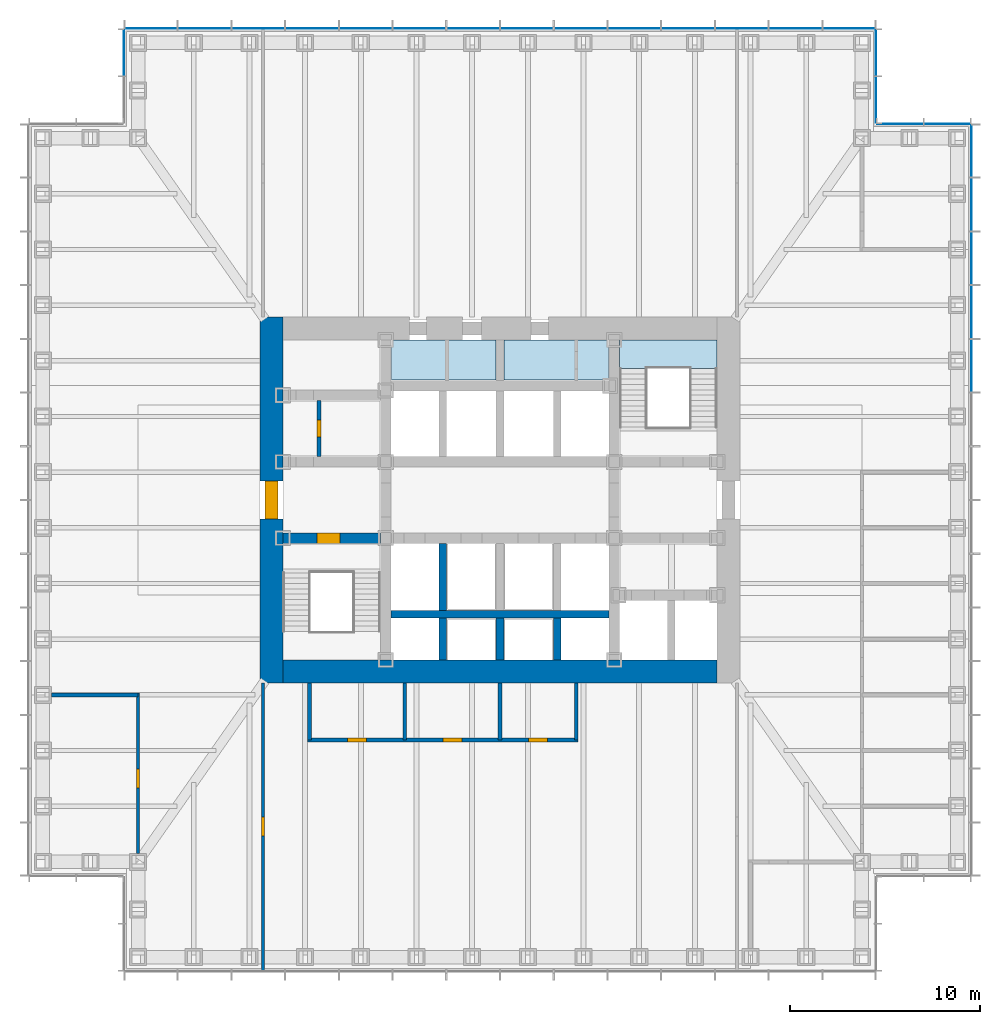
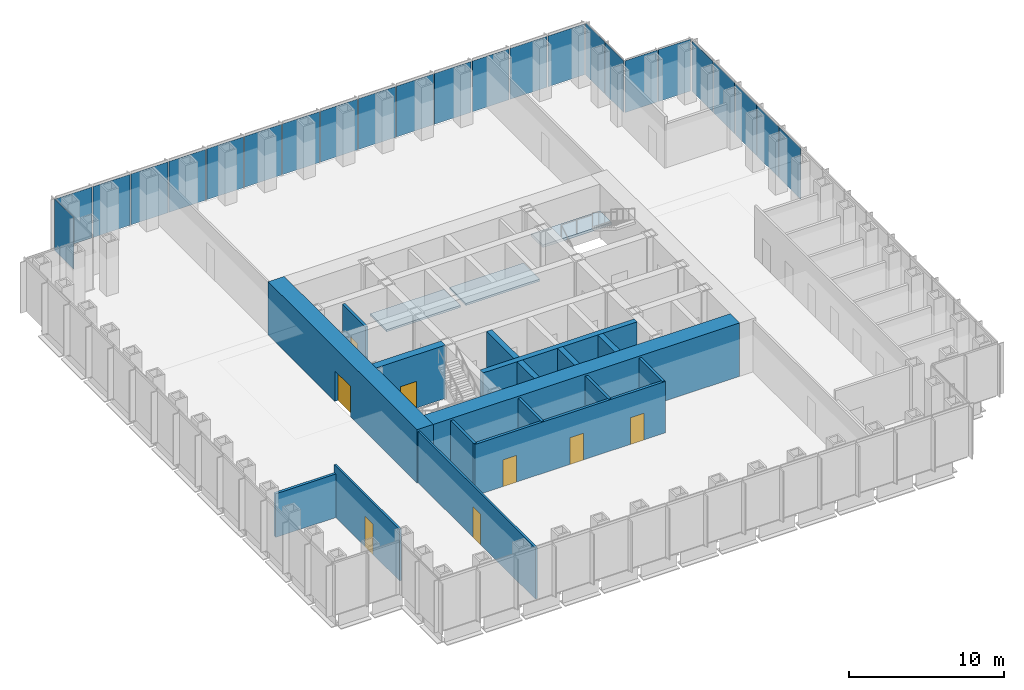
# One storey, part 8 of 16: 24 plates, 17 walls, 8 doors, 3 slabs, 8 openings, 6 elements without a shape of their own.
"""IFC4 building model written with IfcOpenShell, lengths in metres."""

from ifc_helpers import new_model, si_unit, direction, frame, frame_2d, origin, origin_2d, place, context, subcontext, project, spatial, polyline, rectangle, outline, extrude, material, layer, layer_set, type_object, element, fill, aggregate, save


model = new_model("IFC4")

# Units and contexts
model_context = context("Model", 3, precision=1e-05, world=origin(), true_north=direction((0.0, 1.0)))
body_context = subcontext(model_context, "Body", "Model", "MODEL_VIEW")
ifc_project = project(units=[si_unit("LENGTHUNIT", "METRE"), si_unit("AREAUNIT", "SQUARE_METRE"), si_unit("VOLUMEUNIT", "CUBIC_METRE"), si_unit("PLANEANGLEUNIT", "RADIAN"), si_unit("MASSUNIT", "GRAM", prefix="KILO")], contexts=[model_context])

# Site, building, storey
site_placement = place(None, origin())
site = spatial("IfcSite", under=ifc_project, at=site_placement, CompositionType="ELEMENT")
building_placement = place(site_placement, origin())
building = spatial("IfcBuilding", under=site, at=building_placement, Name="Daluyong Arena Tower", CompositionType="ELEMENT")
storey_placement = place(building_placement, frame((0.0, 0.0, 76.89990234375)))
storey = spatial("IfcBuildingStorey", under=building, at=storey_placement, Name="L16", CompositionType="ELEMENT", Elevation=76.89990234375)

# Curtain wall, plates
ifc_material_1 = material(Name="Bronze anodised aluminium and glass", Category="aluminium")
curtain_wall_type_1 = type_object("IfcCurtainWallType", Name="Curtain wall CW1", PredefinedType="USERDEFINED", material=ifc_material_1)
curtain_wall_1_placement = place(storey_placement, origin())
curtain_wall_1 = element("IfcCurtainWall", 1, at=curtain_wall_1_placement, inside=storey, type_object=curtain_wall_type_1, Name="curtain wall L16 E", ObjectType="UNITISED CURTAIN WALL", PredefinedType="USERDEFINED")
ifc_material_2 = material(Name="Tinted double glazed unit", Category="glass")
ifc_layer_1 = layer(ifc_material_2, 0.031982421875)
ifc_layer_set_1 = layer_set([ifc_layer_1], Name="Tinted double glazed unit")
plate_type_1 = type_object("IfcPlateType", Name="CW1 panel 32", PredefinedType="CURTAIN_PANEL", material=ifc_layer_set_1)
plate_1_placement = place(storey_placement, frame((80.75, 87.053466796875, 0.0), z_axis=(0.0, 0.0, 1.0), x_axis=(0.0, 1.0, 0.0)))
plate_1 = element("IfcPlate", 2, at=plate_1_placement, type_object=plate_type_1, Name="curtain wall L16 E panel 10", PredefinedType="CURTAIN_PANEL", context=body_context, shape_type="SweptSolid", body=[
    extrude(rectangle(XDim=2.741455078125, YDim=0.031982421875, at=origin_2d()), origin(), (0.0, 0.0, 1.0), 4.0),
])
plate_2_placement = place(storey_placement, frame((80.75, 89.875, 0.0), z_axis=(0.0, 0.0, 1.0), x_axis=(0.0, 1.0, 0.0)))
plate_2 = element("IfcPlate", 3, at=plate_2_placement, type_object=plate_type_1, Name="curtain wall L16 E panel 11", PredefinedType="CURTAIN_PANEL", context=body_context, shape_type="SweptSolid", body=[
    extrude(rectangle(XDim=2.741455078125, YDim=0.031982421875, at=origin_2d()), origin(), (0.0, 0.0, 1.0), 4.0),
])
plate_3_placement = place(storey_placement, frame((80.75, 92.696533203125, 0.0), z_axis=(0.0, 0.0, 1.0), x_axis=(0.0, 1.0, 0.0)))
plate_3 = element("IfcPlate", 4, at=plate_3_placement, type_object=plate_type_1, Name="curtain wall L16 E panel 12", PredefinedType="CURTAIN_PANEL", context=body_context, shape_type="SweptSolid", body=[
    extrude(rectangle(XDim=2.741455078125, YDim=0.031982421875, at=origin_2d()), origin(), (0.0, 0.0, 1.0), 4.0),
])
plate_4_placement = place(storey_placement, frame((80.75, 95.517822265625, 0.0), z_axis=(0.0, 0.0, 1.0), x_axis=(0.0, 1.0, 0.0)))
plate_4 = element("IfcPlate", 5, at=plate_4_placement, type_object=plate_type_1, Name="curtain wall L16 E panel 13", PredefinedType="CURTAIN_PANEL", context=body_context, shape_type="SweptSolid", body=[
    extrude(rectangle(XDim=2.741455078125, YDim=0.031982421875, at=origin_2d()), origin(), (0.0, 0.0, 1.0), 4.0),
])
plate_5_placement = place(storey_placement, frame((80.75, 98.3193359375, 0.0), z_axis=(0.0, 0.0, 1.0), x_axis=(0.0, 1.0, 0.0)))
plate_5 = element("IfcPlate", 6, at=plate_5_placement, type_object=plate_type_1, Name="curtain wall L16 E panel 14", PredefinedType="CURTAIN_PANEL", context=body_context, shape_type="SweptSolid", body=[
    extrude(rectangle(XDim=2.701416015625, YDim=0.031982421875, at=origin_2d()), origin(), (0.0, 0.0, 1.0), 4.0),
])
aggregate(curtain_wall_1, [plate_1, plate_2, plate_3, plate_4, plate_5])

curtain_wall_2_placement = place(storey_placement, origin())
curtain_wall_2 = element("IfcCurtainWall", 7, at=curtain_wall_2_placement, inside=storey, type_object=curtain_wall_type_1, Name="curtain wall L16 N", ObjectType="UNITISED CURTAIN WALL", PredefinedType="USERDEFINED")
plate_6_placement = place(storey_placement, frame((74.3193359375, 104.75, 0.0), z_axis=(0.0, 0.0, 1.0), x_axis=(-1.0, 0.0, 0.0)))
plate_6 = element("IfcPlate", 8, at=plate_6_placement, type_object=plate_type_1, Name="curtain wall L16 N panel 1", PredefinedType="CURTAIN_PANEL", context=body_context, shape_type="SweptSolid", body=[
    extrude(rectangle(XDim=2.701416015625, YDim=0.031982421875, at=origin_2d()), origin(), (0.0, 0.0, 1.0), 4.0),
])
plate_7_placement = place(storey_placement, frame((71.517822265625, 104.75, 0.0), z_axis=(0.0, 0.0, 1.0), x_axis=(-1.0, 0.0, 0.0)))
plate_7 = element("IfcPlate", 9, at=plate_7_placement, type_object=plate_type_1, Name="curtain wall L16 N panel 2", PredefinedType="CURTAIN_PANEL", context=body_context, shape_type="SweptSolid", body=[
    extrude(rectangle(XDim=2.741455078125, YDim=0.031982421875, at=origin_2d()), origin(), (0.0, 0.0, 1.0), 4.0),
])
plate_8_placement = place(storey_placement, frame((68.696533203125, 104.75, 0.0), z_axis=(0.0, 0.0, 1.0), x_axis=(-1.0, 0.0, 0.0)))
plate_8 = element("IfcPlate", 10, at=plate_8_placement, type_object=plate_type_1, Name="curtain wall L16 N panel 3", PredefinedType="CURTAIN_PANEL", context=body_context, shape_type="SweptSolid", body=[
    extrude(rectangle(XDim=2.741455078125, YDim=0.031982421875, at=origin_2d()), origin(), (0.0, 0.0, 1.0), 4.0),
])
plate_9_placement = place(storey_placement, frame((65.875, 104.75, 0.0), z_axis=(0.0, 0.0, 1.0), x_axis=(-1.0, 0.0, 0.0)))
plate_9 = element("IfcPlate", 11, at=plate_9_placement, type_object=plate_type_1, Name="curtain wall L16 N panel 4", PredefinedType="CURTAIN_PANEL", context=body_context, shape_type="SweptSolid", body=[
    extrude(rectangle(XDim=2.741455078125, YDim=0.031982421875, at=origin_2d()), origin(), (0.0, 0.0, 1.0), 4.0),
])
plate_10_placement = place(storey_placement, frame((63.053466796875, 104.75, 0.0), z_axis=(0.0, 0.0, 1.0), x_axis=(-1.0, 0.0, 0.0)))
plate_10 = element("IfcPlate", 12, at=plate_10_placement, type_object=plate_type_1, Name="curtain wall L16 N panel 5", PredefinedType="CURTAIN_PANEL", context=body_context, shape_type="SweptSolid", body=[
    extrude(rectangle(XDim=2.741455078125, YDim=0.031982421875, at=origin_2d()), origin(), (0.0, 0.0, 1.0), 4.0),
])
plate_11_placement = place(storey_placement, frame((60.232177734375, 104.75, 0.0), z_axis=(0.0, 0.0, 1.0), x_axis=(-1.0, 0.0, 0.0)))
plate_11 = element("IfcPlate", 13, at=plate_11_placement, type_object=plate_type_1, Name="curtain wall L16 N panel 6", PredefinedType="CURTAIN_PANEL", context=body_context, shape_type="SweptSolid", body=[
    extrude(rectangle(XDim=2.741455078125, YDim=0.031982421875, at=origin_2d()), origin(), (0.0, 0.0, 1.0), 4.0),
])
plate_12_placement = place(storey_placement, frame((57.41064453125, 104.75, 0.0), z_axis=(0.0, 0.0, 1.0), x_axis=(-1.0, 0.0, 0.0)))
plate_12 = element("IfcPlate", 14, at=plate_12_placement, type_object=plate_type_1, Name="curtain wall L16 N panel 7", PredefinedType="CURTAIN_PANEL", context=body_context, shape_type="SweptSolid", body=[
    extrude(rectangle(XDim=2.741455078125, YDim=0.031982421875, at=origin_2d()), origin(), (0.0, 0.0, 1.0), 4.0),
])
plate_13_placement = place(storey_placement, frame((54.58935546875, 104.75, 0.0), z_axis=(0.0, 0.0, 1.0), x_axis=(-1.0, 0.0, 0.0)))
plate_13 = element("IfcPlate", 15, at=plate_13_placement, type_object=plate_type_1, Name="curtain wall L16 N panel 8", PredefinedType="CURTAIN_PANEL", context=body_context, shape_type="SweptSolid", body=[
    extrude(rectangle(XDim=2.741455078125, YDim=0.031982421875, at=origin_2d()), origin(), (0.0, 0.0, 1.0), 4.0),
])
plate_14_placement = place(storey_placement, frame((51.767822265625, 104.75, 0.0), z_axis=(0.0, 0.0, 1.0), x_axis=(-1.0, 0.0, 0.0)))
plate_14 = element("IfcPlate", 16, at=plate_14_placement, type_object=plate_type_1, Name="curtain wall L16 N panel 9", PredefinedType="CURTAIN_PANEL", context=body_context, shape_type="SweptSolid", body=[
    extrude(rectangle(XDim=2.741455078125, YDim=0.031982421875, at=origin_2d()), origin(), (0.0, 0.0, 1.0), 4.0),
])
plate_15_placement = place(storey_placement, frame((48.946533203125, 104.75, 0.0), z_axis=(0.0, 0.0, 1.0), x_axis=(-1.0, 0.0, 0.0)))
plate_15 = element("IfcPlate", 17, at=plate_15_placement, type_object=plate_type_1, Name="curtain wall L16 N panel 10", PredefinedType="CURTAIN_PANEL", context=body_context, shape_type="SweptSolid", body=[
    extrude(rectangle(XDim=2.741455078125, YDim=0.031982421875, at=origin_2d()), origin(), (0.0, 0.0, 1.0), 4.0),
])
plate_16_placement = place(storey_placement, frame((46.125, 104.75, 0.0), z_axis=(0.0, 0.0, 1.0), x_axis=(-1.0, 0.0, 0.0)))
plate_16 = element("IfcPlate", 18, at=plate_16_placement, type_object=plate_type_1, Name="curtain wall L16 N panel 11", PredefinedType="CURTAIN_PANEL", context=body_context, shape_type="SweptSolid", body=[
    extrude(rectangle(XDim=2.741455078125, YDim=0.031982421875, at=origin_2d()), origin(), (0.0, 0.0, 1.0), 4.0),
])
plate_17_placement = place(storey_placement, frame((43.303466796875, 104.75, 0.0), z_axis=(0.0, 0.0, 1.0), x_axis=(-1.0, 0.0, 0.0)))
plate_17 = element("IfcPlate", 19, at=plate_17_placement, type_object=plate_type_1, Name="curtain wall L16 N panel 12", PredefinedType="CURTAIN_PANEL", context=body_context, shape_type="SweptSolid", body=[
    extrude(rectangle(XDim=2.741455078125, YDim=0.031982421875, at=origin_2d()), origin(), (0.0, 0.0, 1.0), 4.0),
])
plate_18_placement = place(storey_placement, frame((40.482177734375, 104.75, 0.0), z_axis=(0.0, 0.0, 1.0), x_axis=(-1.0, 0.0, 0.0)))
plate_18 = element("IfcPlate", 20, at=plate_18_placement, type_object=plate_type_1, Name="curtain wall L16 N panel 13", PredefinedType="CURTAIN_PANEL", context=body_context, shape_type="SweptSolid", body=[
    extrude(rectangle(XDim=2.741455078125, YDim=0.031982421875, at=origin_2d()), origin(), (0.0, 0.0, 1.0), 4.0),
])
plate_19_placement = place(storey_placement, frame((37.6806640625, 104.75, 0.0), z_axis=(0.0, 0.0, 1.0), x_axis=(-1.0, 0.0, 0.0)))
plate_19 = element("IfcPlate", 21, at=plate_19_placement, type_object=plate_type_1, Name="curtain wall L16 N panel 14", PredefinedType="CURTAIN_PANEL", context=body_context, shape_type="SweptSolid", body=[
    extrude(rectangle(XDim=2.701416015625, YDim=0.031982421875, at=origin_2d()), origin(), (0.0, 0.0, 1.0), 4.0),
])
aggregate(curtain_wall_2, [plate_6, plate_7, plate_8, plate_9, plate_10, plate_11, plate_12, plate_13, plate_14, plate_15, plate_16, plate_17, plate_18, plate_19])

ifc_material_3 = material(Name="Bronze anodised aluminium and glass", Category="aluminium")
curtain_wall_type_2 = type_object("IfcCurtainWallType", Name="Curtain wall CW7", PredefinedType="USERDEFINED", material=ifc_material_3)
curtain_wall_3_placement = place(storey_placement, origin())
curtain_wall_3 = element("IfcCurtainWall", 22, at=curtain_wall_3_placement, inside=storey, type_object=curtain_wall_type_2, Name="curtain wall L16 NE-N", ObjectType="UNITISED CURTAIN WALL", PredefinedType="USERDEFINED")
ifc_material_4 = material(Name="Tinted double glazed unit", Category="glass")
ifc_layer_2 = layer(ifc_material_4, 0.028076171875)
ifc_layer_set_2 = layer_set([ifc_layer_2], Name="Tinted double glazed unit")
plate_type_2 = type_object("IfcPlateType", Name="CW7 panel 28", PredefinedType="CURTAIN_PANEL", material=ifc_layer_set_2)
plate_20_placement = place(storey_placement, frame((79.485107421875, 99.75, 0.0), z_axis=(0.0, 0.0, 1.0), x_axis=(-1.0, 0.0, 0.0)))
plate_20 = element("IfcPlate", 23, at=plate_20_placement, type_object=plate_type_2, Name="curtain wall L16 NE-N panel 1", PredefinedType="CURTAIN_PANEL", context=body_context, shape_type="SweptSolid", body=[
    extrude(rectangle(XDim=2.409912109375, YDim=0.028076171875, at=origin_2d()), origin(), (0.0, 0.0, 1.0), 4.080078125),
])
plate_21_placement = place(storey_placement, frame((77.014892578125, 99.75, 0.0), z_axis=(0.0, 0.0, 1.0), x_axis=(-1.0, 0.0, 0.0)))
plate_21 = element("IfcPlate", 24, at=plate_21_placement, type_object=plate_type_2, Name="curtain wall L16 NE-N panel 2", PredefinedType="CURTAIN_PANEL", context=body_context, shape_type="SweptSolid", body=[
    extrude(rectangle(XDim=2.409912109375, YDim=0.028076171875, at=origin_2d()), origin(), (0.0, 0.0, 1.0), 4.080078125),
])
aggregate(curtain_wall_3, [plate_20, plate_21])

curtain_wall_4_placement = place(storey_placement, origin())
curtain_wall_4 = element("IfcCurtainWall", 25, at=curtain_wall_4_placement, inside=storey, type_object=curtain_wall_type_2, Name="curtain wall L16 NE-E", ObjectType="UNITISED CURTAIN WALL", PredefinedType="USERDEFINED")
plate_22_placement = place(storey_placement, frame((75.75, 101.014892578125, 0.0), z_axis=(0.0, 0.0, 1.0), x_axis=(0.0, 1.0, 0.0)))
plate_22 = element("IfcPlate", 26, at=plate_22_placement, type_object=plate_type_2, Name="curtain wall L16 NE-E panel 1", PredefinedType="CURTAIN_PANEL", context=body_context, shape_type="SweptSolid", body=[
    extrude(rectangle(XDim=2.409912109375, YDim=0.028076171875, at=origin_2d()), origin(), (0.0, 0.0, 1.0), 4.080078125),
])
plate_23_placement = place(storey_placement, frame((75.75, 103.485107421875, 0.0), z_axis=(0.0, 0.0, 1.0), x_axis=(0.0, 1.0, 0.0)))
plate_23 = element("IfcPlate", 27, at=plate_23_placement, type_object=plate_type_2, Name="curtain wall L16 NE-E panel 2", PredefinedType="CURTAIN_PANEL", context=body_context, shape_type="SweptSolid", body=[
    extrude(rectangle(XDim=2.409912109375, YDim=0.028076171875, at=origin_2d()), origin(), (0.0, 0.0, 1.0), 4.080078125),
])
aggregate(curtain_wall_4, [plate_22, plate_23])

# Curtain wall, plate
curtain_wall_5_placement = place(storey_placement, origin())
curtain_wall_5 = element("IfcCurtainWall", 28, at=curtain_wall_5_placement, inside=storey, type_object=curtain_wall_type_2, Name="curtain wall L16 NW-W", ObjectType="UNITISED CURTAIN WALL", PredefinedType="USERDEFINED")
plate_24_placement = place(storey_placement, frame((36.25, 103.485107421875, 0.0), z_axis=(0.0, 0.0, 1.0), x_axis=(0.0, -1.0, 0.0)))
plate_24 = element("IfcPlate", 29, at=plate_24_placement, type_object=plate_type_2, Name="curtain wall L16 NW-W panel 1", PredefinedType="CURTAIN_PANEL", context=body_context, shape_type="SweptSolid", body=[
    extrude(rectangle(XDim=2.409912109375, YDim=0.028076171875, at=origin_2d()), origin(), (0.0, 0.0, 1.0), 4.080078125),
])
aggregate(curtain_wall_5, [plate_24])

# Stair, slab
ifc_material_5 = material(Name="Concrete fc' 35 MPa", Category="concrete")
stair_type = type_object("IfcStairType", Name="Core exit stair", PredefinedType="HALF_TURN_STAIR", material=ifc_material_5)
stair_placement = place(storey_placement, origin())
stair = element("IfcStair", 30, at=stair_placement, inside=storey, type_object=stair_type, Name="exit stair B L16", PredefinedType="HALF_TURN_STAIR")
ifc_material_6 = material(Name="Concrete fc' 35 MPa", Category="concrete")
ifc_layer_3 = layer(ifc_material_6, 0.199951171875)
ifc_layer_set_3 = layer_set([ifc_layer_3], Name="Concrete fc' 35 MPa")
slab_type_1 = type_object("IfcSlabType", Name="Stair landing 200", PredefinedType="LANDING", material=ifc_layer_set_3)
slab_1_placement = place(storey_placement, frame((0.0, 0.0, 1.900146484375)))
slab_1 = element("IfcSlab", 31, at=slab_1_placement, type_object=slab_type_1, Name="STB landing 1", PredefinedType="LANDING", context=body_context, shape_type="SweptSolid", body=[
    extrude(outline(polyline([(62.27490234375, 86.905029296875), (67.39990234375, 86.905029296875), (67.39990234375, 88.39990234375), (62.27490234375, 88.39990234375), (62.27490234375, 86.905029296875)])), origin(), (0.0, 0.0, 1.0), 0.199951171875),
])
aggregate(stair, [slab_1])

# Slabs
ifc_material_7 = material(Name="Concrete fc' 35 MPa", Category="concrete")
ifc_layer_4 = layer(ifc_material_7, 0.159912109375)
ifc_layer_set_4 = layer_set([ifc_layer_4], Name="Concrete fc' 35 MPa")
slab_type_2 = type_object("IfcSlabType", Name="Tower floor slab 160", PredefinedType="FLOOR", material=ifc_layer_set_4)
slab_2_placement = place(storey_placement, frame((0.0, 0.0, -0.159912109375)))
element("IfcSlab", 32, at=slab_2_placement, inside=storey, type_object=slab_type_2, Name="floor L16 part 5", PredefinedType="FLOOR", context=body_context, shape_type="SweptSolid", body=[
    extrude(outline(polyline([(50.300048828125, 88.39990234375), (50.300048828125, 86.300048828125), (55.800048828125, 86.300048828125), (55.800048828125, 88.39990234375), (50.300048828125, 88.39990234375)])), origin(), (0.0, 0.0, 1.0), 0.159912109375),
])
slab_3_placement = place(storey_placement, frame((0.0, 0.0, -0.159912109375)))
element("IfcSlab", 33, at=slab_3_placement, inside=storey, type_object=slab_type_2, Name="floor L16 part 12", PredefinedType="FLOOR", context=body_context, shape_type="SweptSolid", body=[
    extrude(outline(polyline([(56.199951171875, 86.300048828125), (61.699951171875, 86.300048828125), (61.699951171875, 88.39990234375), (56.199951171875, 88.39990234375), (56.199951171875, 86.300048828125)])), origin(), (0.0, 0.0, 1.0), 0.159912109375),
])

# Wall, opening, door
ifc_material_8 = material(Name="Concrete fc' 45 MPa", Category="concrete")
ifc_layer_5 = layer(ifc_material_8, 0.550048828125)
ifc_layer_set_5 = layer_set([ifc_layer_5], Name="Concrete fc' 45 MPa")
wall_type_1 = type_object("IfcWallType", Name="Core inner wall 550", PredefinedType="SHEAR", material=ifc_layer_set_5)
wall_1_placement = place(storey_placement, frame((44.60009765625, 78.0, 0.0), z_axis=(0.0, 0.0, 1.0), x_axis=(1.0, 0.0, 0.0)))
wall_1 = element("IfcWall", 34, at=wall_1_placement, inside=storey, type_object=wall_type_1, Name="core inner wall at L16", PredefinedType="SHEAR", context=body_context, shape_type="SweptSolid", body=[
    extrude(rectangle(XDim=5.125, YDim=0.550048828125, at=frame_2d((2.5625, 0.0))), origin(), (0.0, 0.0, 1.0), 4.2001953125),
])
opening_1_placement = place(wall_1_placement, frame((1.800048828125, 0.0, 0.0)))
opening_1 = element("IfcOpeningElement", 35, at=opening_1_placement, cuts=wall_1, Name="Opening 16008", PredefinedType="OPENING", context=body_context, shape_type="SweptSolid", body=[
    extrude(rectangle(XDim=1.199951171875, YDim=2.10009765625, at=frame_2d((0.60009765625, 1.050048828125))), frame((0.0, 0.284912109375, 0.0), z_axis=(0.0, -1.0, 0.0), x_axis=(1.0, 0.0, 0.0)), (0.0, 0.0, 1.0), 0.570068359375),
])
ifc_material_9 = material(Name="Steel door, fire rated", Category="steel")
door_type_1 = type_object("IfcDoorType", Name="Stair door 1200", OperationType="SINGLE_SWING_LEFT", PredefinedType="DOOR", material=ifc_material_9)
door_1_placement = place(opening_1_placement, origin())
door_1 = element("IfcDoor", 36, at=door_1_placement, inside=storey, type_object=door_type_1, Name="stair A door 16008", OperationType="SINGLE_SWING_LEFT", OverallHeight=2.10009765625, OverallWidth=1.199951171875, PredefinedType="DOOR", context=body_context, shape_type="SweptSolid", body=[
    extrude(rectangle(XDim=1.199951171875, YDim=2.10009765625, at=frame_2d((0.60009765625, 1.050048828125))), frame((0.0, 0.27490234375, 0.0), z_axis=(0.0, -1.0, 0.0), x_axis=(1.0, 0.0, 0.0)), (0.0, 0.0, 1.0), 0.549560546875),
])
fill(opening_1, door_1)

ifc_material_10 = material(Name="Concrete fc' 60 MPa", Category="concrete")
ifc_layer_6 = layer(ifc_material_10, 1.199951171875)
ifc_layer_set_6 = layer_set([ifc_layer_6], Name="Concrete fc' 60 MPa")
wall_type_2 = type_object("IfcWallType", Name="Core wall 1200", PredefinedType="SHEAR", material=ifc_layer_set_6)
wall_2_placement = place(storey_placement, frame((44.0, 70.39990234375, 0.0), z_axis=(0.0, 0.0, 1.0), x_axis=(0.0, 1.0, 0.0)))
wall_2 = element("IfcWall", 37, at=wall_2_placement, inside=storey, type_object=wall_type_2, Name="core wall at L16", PredefinedType="SHEAR", context=body_context, shape_type="SweptSolid", body=[
    extrude(rectangle(XDim=19.2001953125, YDim=1.199951171875, at=frame_2d((9.60009765625, 0.0))), origin(), (0.0, 0.0, 1.0), 4.2001953125),
])
opening_2_placement = place(wall_2_placement, frame((8.60009765625, 0.0, 0.0)))
opening_2 = element("IfcOpeningElement", 38, at=opening_2_placement, cuts=wall_2, Name="Opening 16010", PredefinedType="OPENING", context=body_context, shape_type="SweptSolid", body=[
    extrude(rectangle(XDim=2.0, YDim=2.39990234375, at=frame_2d((1.0, 1.199951171875))), frame((0.0, 0.60986328125, 0.0), z_axis=(0.0, -1.0, 0.0), x_axis=(1.0, 0.0, 0.0)), (0.0, 0.0, 1.0), 1.219970703125),
])
ifc_material_11 = material(Name="Steel door, fire rated", Category="steel")
door_type_2 = type_object("IfcDoorType", Name="Core lobby double door 2000", OperationType="DOUBLE_DOOR_SINGLE_SWING", PredefinedType="DOOR", material=ifc_material_11)
door_2_placement = place(opening_2_placement, origin())
door_2 = element("IfcDoor", 39, at=door_2_placement, inside=storey, type_object=door_type_2, Name="core lobby door west 16010", OperationType="DOUBLE_DOOR_SINGLE_SWING", OverallHeight=2.39990234375, OverallWidth=2.0, PredefinedType="DOOR", context=body_context, shape_type="SweptSolid", body=[
    extrude(rectangle(XDim=2.0, YDim=2.39990234375, at=frame_2d((1.0, 1.199951171875))), frame((0.0, 0.35009765625, 0.0), z_axis=(0.0, -1.0, 0.0), x_axis=(1.0, 0.0, 0.0)), (0.0, 0.0, 1.0), 0.699951171875),
])
fill(opening_2, door_2)

# Wall
wall_3_placement = place(storey_placement, frame((44.60009765625, 71.0, 0.0), z_axis=(0.0, 0.0, 1.0), x_axis=(1.0, 0.0, 0.0)))
element("IfcWall", 40, at=wall_3_placement, inside=storey, type_object=wall_type_2, Name="core wall at L16", PredefinedType="SHEAR", context=body_context, shape_type="SweptSolid", body=[
    extrude(rectangle(XDim=22.7998046875, YDim=1.199951171875, at=frame_2d((11.39990234375, 0.0))), origin(), (0.0, 0.0, 1.0), 4.2001953125),
])

# Wall, opening, door
ifc_material_12 = material(Name="Concrete block partition, fire rated", Category="concrete")
ifc_layer_7 = layer(ifc_material_12, 0.199951171875)
ifc_layer_set_7 = layer_set([ifc_layer_7], Name="Concrete block partition, fire rated")
wall_type_3 = type_object("IfcWallType", Name="Fire-rated partition 200", PredefinedType="PARTITIONING", material=ifc_layer_set_7)
wall_4_placement = place(storey_placement, frame((46.5, 82.27490234375, 0.0), z_axis=(0.0, 0.0, 1.0), x_axis=(0.0, 1.0, 0.0)))
wall_4 = element("IfcWall", 41, at=wall_4_placement, inside=storey, type_object=wall_type_3, Name="toilet lobby partition at L16", PredefinedType="PARTITIONING", context=body_context, shape_type="SweptSolid", body=[
    extrude(rectangle(XDim=2.9501953125, YDim=0.199951171875, at=frame_2d((1.47509765625, 0.0))), origin(), (0.0, 0.0, 1.0), 4.0400390625),
])
opening_3_placement = place(wall_4_placement, frame((1.02490234375, 0.0, 0.0)))
opening_3 = element("IfcOpeningElement", 42, at=opening_3_placement, cuts=wall_4, Name="Opening 16002", PredefinedType="OPENING", context=body_context, shape_type="SweptSolid", body=[
    extrude(rectangle(XDim=0.89990234375, YDim=2.10009765625, at=frame_2d((0.449951171875, 1.050048828125))), frame((0.0, 0.10986328125, 0.0), z_axis=(0.0, -1.0, 0.0), x_axis=(1.0, 0.0, 0.0)), (0.0, 0.0, 1.0), 0.219970703125),
])
ifc_material_13 = material(Name="Timber door", Category="wood")
door_type_3 = type_object("IfcDoorType", Name="Toilet door 900", OperationType="SINGLE_SWING_RIGHT", PredefinedType="DOOR", material=ifc_material_13)
door_3_placement = place(opening_3_placement, origin())
door_3 = element("IfcDoor", 43, at=door_3_placement, inside=storey, type_object=door_type_3, Name="male toilet door 16002", OperationType="SINGLE_SWING_RIGHT", OverallHeight=2.10009765625, OverallWidth=0.89990234375, PredefinedType="DOOR", context=body_context, shape_type="SweptSolid", body=[
    extrude(rectangle(XDim=0.89990234375, YDim=2.10009765625, at=frame_2d((0.449951171875, 1.050048828125))), frame((0.0, 0.099609375, 0.0), z_axis=(0.0, -1.0, 0.0), x_axis=(1.0, 0.0, 0.0)), (0.0, 0.0, 1.0), 0.199462890625),
])
fill(opening_3, door_3)

ifc_material_14 = material(Name="Glazed aluminium partition", Category="aluminium")
ifc_layer_8 = layer(ifc_material_14, 0.14990234375)
ifc_layer_set_8 = layer_set([ifc_layer_8], Name="Glazed aluminium partition")
wall_type_4 = type_object("IfcWallType", Name="Glazed partition 150", PredefinedType="PARTITIONING", material=ifc_layer_set_8)
wall_5_placement = place(storey_placement, frame((37.0, 61.449951171875, 0.0), z_axis=(0.0, 0.0, 1.0), x_axis=(0.0, 1.0, 0.0)))
wall_5 = element("IfcWall", 44, at=wall_5_placement, inside=storey, type_object=wall_type_4, Name="glazed partition at L16", PredefinedType="PARTITIONING", context=body_context, shape_type="SweptSolid", body=[
    extrude(rectangle(XDim=8.419189453125, YDim=0.14990234375, at=frame_2d((4.20947265625, 0.0))), origin(), (0.0, 0.0, 1.0), 4.0400390625),
])
opening_4_placement = place(wall_5_placement, frame((3.4345703125, 0.0, 0.0)))
opening_4 = element("IfcOpeningElement", 45, at=opening_4_placement, cuts=wall_5, Name="Opening 16030", PredefinedType="OPENING", context=body_context, shape_type="SweptSolid", body=[
    extrude(rectangle(XDim=1.0, YDim=2.39990234375, at=frame_2d((0.5, 1.199951171875))), frame((0.0, 0.0849609375, 0.0), z_axis=(0.0, -1.0, 0.0), x_axis=(1.0, 0.0, 0.0)), (0.0, 0.0, 1.0), 0.169921875),
])
ifc_material_15 = material(Name="Glazed aluminium door", Category="aluminium")
door_type_4 = type_object("IfcDoorType", Name="Meeting room glazed door 1000", OperationType="SINGLE_SWING_RIGHT", PredefinedType="DOOR", material=ifc_material_15)
door_4_placement = place(opening_4_placement, origin())
door_4 = element("IfcDoor", 46, at=door_4_placement, inside=storey, type_object=door_type_4, Name="meeting room door 16030", OperationType="SINGLE_SWING_RIGHT", OverallHeight=2.39990234375, OverallWidth=1.0, PredefinedType="DOOR", context=body_context, shape_type="SweptSolid", body=[
    extrude(rectangle(XDim=1.0, YDim=2.39990234375, at=frame_2d((0.5, 1.199951171875))), frame((0.0, 0.07470703125, 0.0), z_axis=(0.0, -1.0, 0.0), x_axis=(1.0, 0.0, 0.0)), (0.0, 0.0, 1.0), 0.1494140625),
])
fill(opening_4, door_4)

wall_6_placement = place(storey_placement, frame((43.550048828125, 55.31005859375, 0.0), z_axis=(0.0, 0.0, 1.0), x_axis=(0.0, 1.0, 0.0)))
wall_6 = element("IfcWall", 47, at=wall_6_placement, inside=storey, type_object=wall_type_4, Name="glazed partition at L16", PredefinedType="PARTITIONING", context=body_context, shape_type="SweptSolid", body=[
    extrude(rectangle(XDim=15.08984375, YDim=0.14990234375, at=frame_2d((7.544921875, 0.0))), origin(), (0.0, 0.0, 1.0), 4.0400390625),
])
opening_5_placement = place(wall_6_placement, frame((7.044921875, 0.0, 0.0)))
opening_5 = element("IfcOpeningElement", 48, at=opening_5_placement, cuts=wall_6, Name="Opening 16034", PredefinedType="OPENING", context=body_context, shape_type="SweptSolid", body=[
    extrude(rectangle(XDim=1.0, YDim=2.39990234375, at=frame_2d((0.5, 1.199951171875))), frame((0.0, 0.0849609375, 0.0), z_axis=(0.0, -1.0, 0.0), x_axis=(1.0, 0.0, 0.0)), (0.0, 0.0, 1.0), 0.169921875),
])
door_5_placement = place(opening_5_placement, origin())
door_5 = element("IfcDoor", 49, at=door_5_placement, inside=storey, type_object=door_type_4, Name="team area screen door 16034", OperationType="SINGLE_SWING_RIGHT", OverallHeight=2.39990234375, OverallWidth=1.0, PredefinedType="DOOR", context=body_context, shape_type="SweptSolid", body=[
    extrude(rectangle(XDim=1.0, YDim=2.39990234375, at=frame_2d((0.5, 1.199951171875))), frame((0.0, 0.07470703125, 0.0), z_axis=(0.0, -1.0, 0.0), x_axis=(1.0, 0.0, 0.0)), (0.0, 0.0, 1.0), 0.1494140625),
])
fill(opening_5, door_5)

# Walls
ifc_material_16 = material(Name="Concrete fc' 45 MPa", Category="concrete")
ifc_layer_9 = layer(ifc_material_16, 0.39990234375)
ifc_layer_set_9 = layer_set([ifc_layer_9], Name="Concrete fc' 45 MPa")
wall_type_5 = type_object("IfcWallType", Name="Lift shaft wall 400", PredefinedType="SHEAR", material=ifc_layer_set_9)
wall_7_placement = place(storey_placement, frame((50.27490234375, 74.0, 0.0), z_axis=(0.0, 0.0, 1.0), x_axis=(1.0, 0.0, 0.0)))
element("IfcWall", 50, at=wall_7_placement, inside=storey, type_object=wall_type_5, Name="lift shaft wall at L16", PredefinedType="SHEAR", context=body_context, shape_type="SweptSolid", body=[
    extrude(rectangle(XDim=11.4501953125, YDim=0.39990234375, at=frame_2d((5.72509765625, 0.0))), origin(), (0.0, 0.0, 1.0), 4.2001953125),
])
wall_8_placement = place(storey_placement, frame((53.0, 71.60009765625, 0.0), z_axis=(0.0, 0.0, 1.0), x_axis=(0.0, 1.0, 0.0)))
element("IfcWall", 51, at=wall_8_placement, inside=storey, type_object=wall_type_5, Name="lift shaft wall at L16", PredefinedType="SHEAR", context=body_context, shape_type="SweptSolid", body=[
    extrude(rectangle(XDim=2.199951171875, YDim=0.39990234375, at=frame_2d((1.10009765625, 0.0))), origin(), (0.0, 0.0, 1.0), 4.2001953125),
])
wall_9_placement = place(storey_placement, frame((53.0, 74.199951171875, 0.0), z_axis=(0.0, 0.0, 1.0), x_axis=(0.0, 1.0, 0.0)))
element("IfcWall", 52, at=wall_9_placement, inside=storey, type_object=wall_type_5, Name="lift shaft wall at L16", PredefinedType="SHEAR", context=body_context, shape_type="SweptSolid", body=[
    extrude(rectangle(XDim=3.525146484375, YDim=0.39990234375, at=frame_2d((1.7626953125, 0.0))), origin(), (0.0, 0.0, 1.0), 4.2001953125),
])
for number, where, z_axis, x_axis, name in (
    (53, (56.0, 71.60009765625, 0.0), (0.0, 0.0, 1.0), (0.0, 1.0, 0.0), "lift shaft wall at L16"),
    (54, (59.0, 71.60009765625, 0.0), (0.0, 0.0, 1.0), (0.0, 1.0, 0.0), "lift shaft wall at L16"),
):
    element("IfcWall", number, at=place(storey_placement, frame(where, z_axis=z_axis, x_axis=x_axis)), inside=storey, type_object=wall_type_5, Name=name, PredefinedType="SHEAR", context=body_context, shape_type="SweptSolid", body=[
        extrude(rectangle(XDim=2.199951171875, YDim=0.39990234375, at=frame_2d((1.10009765625, 0.0))), origin(), (0.0, 0.0, 1.0), 4.2001953125),
    ])
ifc_material_17 = material(Name="Concrete block partition", Category="concrete")
ifc_layer_10 = layer(ifc_material_17, 0.199951171875)
ifc_layer_set_10 = layer_set([ifc_layer_10], Name="Concrete block partition")
wall_type_6 = type_object("IfcWallType", Name="Partition 200", PredefinedType="PARTITIONING", material=ifc_layer_set_10)
wall_10_placement = place(storey_placement, frame((32.449951171875, 69.769287109375, 0.0), z_axis=(0.0, 0.0, 1.0), x_axis=(1.0, 0.0, 0.0)))
element("IfcWall", 55, at=wall_10_placement, inside=storey, type_object=wall_type_6, Name="partition at L16", PredefinedType="PARTITIONING", context=body_context, shape_type="SweptSolid", body=[
    extrude(rectangle(XDim=4.550048828125, YDim=0.199951171875, at=frame_2d((2.27490234375, 0.0))), origin(), (0.0, 0.0, 1.0), 3.427978515625),
])
for number, where, z_axis, x_axis, name in (
    (56, (46.0, 67.39990234375, 0.0), (0.0, 0.0, 1.0), (0.0, 1.0, 0.0), "partition at L16"),
    (57, (51.0, 67.39990234375, 0.0), (0.0, 0.0, 1.0), (0.0, 1.0, 0.0), "partition at L16"),
    (58, (56.0, 67.39990234375, 0.0), (0.0, 0.0, 1.0), (0.0, 1.0, 0.0), "partition at L16"),
    (59, (60.0, 67.39990234375, 0.0), (0.0, 0.0, 1.0), (0.0, 1.0, 0.0), "partition at L16"),
):
    element("IfcWall", number, at=place(storey_placement, frame(where, z_axis=z_axis, x_axis=x_axis)), inside=storey, type_object=wall_type_6, Name=name, PredefinedType="PARTITIONING", context=body_context, shape_type="SweptSolid", body=[
        extrude(rectangle(XDim=3.0, YDim=0.199951171875, at=frame_2d((1.5, 0.0))), origin(), (0.0, 0.0, 1.0), 4.0400390625),
    ])

# Wall, openings, doors
wall_11_placement = place(storey_placement, frame((45.89990234375, 67.39990234375, 0.0), z_axis=(0.0, 0.0, 1.0), x_axis=(1.0, 0.0, 0.0)))
wall_11 = element("IfcWall", 60, at=wall_11_placement, inside=storey, type_object=wall_type_6, Name="partition at L16", PredefinedType="PARTITIONING", context=body_context, shape_type="SweptSolid", body=[
    extrude(rectangle(XDim=14.2001953125, YDim=0.199951171875, at=frame_2d((7.10009765625, 0.0))), origin(), (0.0, 0.0, 1.0), 4.0400390625),
])
opening_6_placement = place(wall_11_placement, frame((2.10009765625, 0.0, 0.0)))
opening_6 = element("IfcOpeningElement", 61, at=opening_6_placement, cuts=wall_11, Name="Opening 16031", PredefinedType="OPENING", context=body_context, shape_type="SweptSolid", body=[
    extrude(rectangle(XDim=1.0, YDim=2.10009765625, at=frame_2d((0.5, 1.050048828125))), frame((0.0, 0.10986328125, 0.0), z_axis=(0.0, -1.0, 0.0), x_axis=(1.0, 0.0, 0.0)), (0.0, 0.0, 1.0), 0.219970703125),
])
opening_7_placement = place(wall_11_placement, frame((7.10009765625, 0.0, 0.0)))
opening_7 = element("IfcOpeningElement", 62, at=opening_7_placement, cuts=wall_11, Name="Opening 16032", PredefinedType="OPENING", context=body_context, shape_type="SweptSolid", body=[
    extrude(rectangle(XDim=1.0, YDim=2.10009765625, at=frame_2d((0.5, 1.050048828125))), frame((0.0, 0.10986328125, 0.0), z_axis=(0.0, -1.0, 0.0), x_axis=(1.0, 0.0, 0.0)), (0.0, 0.0, 1.0), 0.219970703125),
])
opening_8_placement = place(wall_11_placement, frame((11.60009765625, 0.0, 0.0)))
opening_8 = element("IfcOpeningElement", 63, at=opening_8_placement, cuts=wall_11, Name="Opening 16033", PredefinedType="OPENING", context=body_context, shape_type="SweptSolid", body=[
    extrude(rectangle(XDim=1.0, YDim=2.10009765625, at=frame_2d((0.5, 1.050048828125))), frame((0.0, 0.10986328125, 0.0), z_axis=(0.0, -1.0, 0.0), x_axis=(1.0, 0.0, 0.0)), (0.0, 0.0, 1.0), 0.219970703125),
])
ifc_material_18 = material(Name="Timber door", Category="wood")
door_type_5 = type_object("IfcDoorType", Name="Room door 1000", OperationType="SINGLE_SWING_LEFT", PredefinedType="DOOR", material=ifc_material_18)
door_6_placement = place(opening_6_placement, origin())
door_6 = element("IfcDoor", 64, at=door_6_placement, inside=storey, type_object=door_type_5, Name="wellness room door 16031", OperationType="SINGLE_SWING_LEFT", OverallHeight=2.10009765625, OverallWidth=1.0, PredefinedType="DOOR", context=body_context, shape_type="SweptSolid", body=[
    extrude(rectangle(XDim=1.0, YDim=2.10009765625, at=frame_2d((0.5, 1.050048828125))), frame((0.0, 0.099609375, 0.0), z_axis=(0.0, -1.0, 0.0), x_axis=(1.0, 0.0, 0.0)), (0.0, 0.0, 1.0), 0.199462890625),
])
fill(opening_6, door_6)
door_7_placement = place(opening_7_placement, origin())
door_7 = element("IfcDoor", 65, at=door_7_placement, inside=storey, type_object=door_type_5, Name="wellness room door 16032", OperationType="SINGLE_SWING_LEFT", OverallHeight=2.10009765625, OverallWidth=1.0, PredefinedType="DOOR", context=body_context, shape_type="SweptSolid", body=[
    extrude(rectangle(XDim=1.0, YDim=2.10009765625, at=frame_2d((0.5, 1.050048828125))), frame((0.0, 0.099609375, 0.0), z_axis=(0.0, -1.0, 0.0), x_axis=(1.0, 0.0, 0.0)), (0.0, 0.0, 1.0), 0.199462890625),
])
fill(opening_7, door_7)
door_8_placement = place(opening_8_placement, origin())
door_8 = element("IfcDoor", 66, at=door_8_placement, inside=storey, type_object=door_type_5, Name="lactation room door 16033", OperationType="SINGLE_SWING_LEFT", OverallHeight=2.10009765625, OverallWidth=1.0, PredefinedType="DOOR", context=body_context, shape_type="SweptSolid", body=[
    extrude(rectangle(XDim=1.0, YDim=2.10009765625, at=frame_2d((0.5, 1.050048828125))), frame((0.0, 0.099609375, 0.0), z_axis=(0.0, -1.0, 0.0), x_axis=(1.0, 0.0, 0.0)), (0.0, 0.0, 1.0), 0.199462890625),
])
fill(opening_8, door_8)

save(model, "model.ifc")
